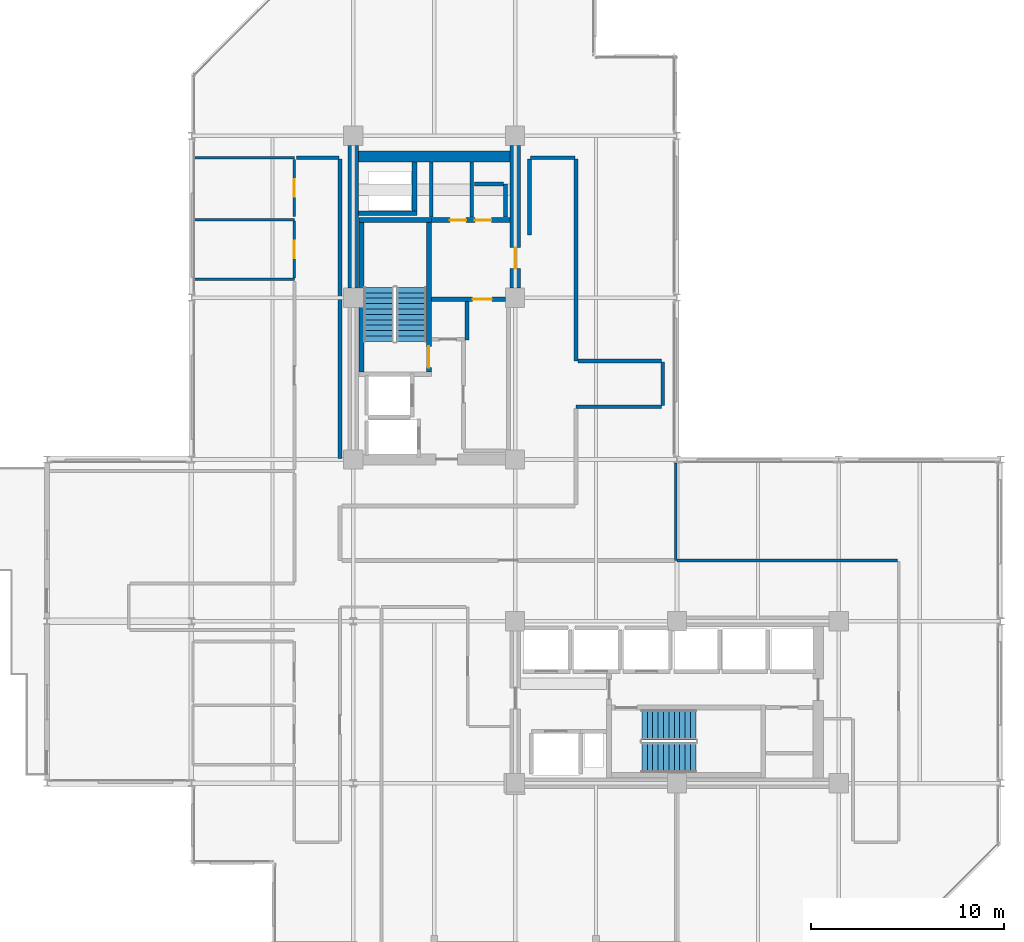
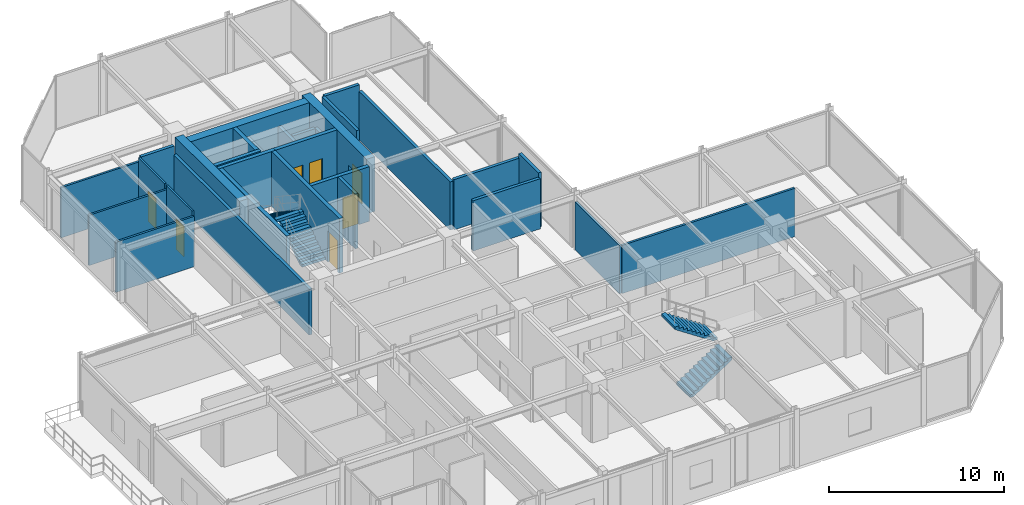
# One storey, part 26 of 29: 30 walls, 7 doors, 4 stair flights, 7 openings, 2 elements without a shape of their own.
"""IFC4 building model written with IfcOpenShell, lengths in metres."""

from ifc_helpers import new_model, si_unit, direction, frame, frame_2d, origin, place, context, subcontext, project, spatial, polyline, rectangle, outline, extrude, material, layer, layer_set, type_object, element, fill, aggregate, save


model = new_model("IFC4")

# Units and contexts
model_context = context("Model", 3, precision=1e-05, world=origin(), true_north=direction((0.0, 1.0)))
body_context = subcontext(model_context, "Body", "Model", "MODEL_VIEW")
ifc_project = project(units=[si_unit("LENGTHUNIT", "METRE"), si_unit("AREAUNIT", "SQUARE_METRE"), si_unit("VOLUMEUNIT", "CUBIC_METRE"), si_unit("PLANEANGLEUNIT", "RADIAN"), si_unit("MASSUNIT", "GRAM", prefix="KILO")], contexts=[model_context])

# Site, building, storey
site_placement = place(None, origin())
site = spatial("IfcSite", under=ifc_project, at=site_placement, CompositionType="ELEMENT")
building_placement = place(site_placement, origin())
building = spatial("IfcBuilding", under=site, at=building_placement, Name="Nerrivon Quay Data Exchange", CompositionType="ELEMENT")
storey_placement = place(building_placement, frame((0.0, 0.0, 183.699951171875)))
storey = spatial("IfcBuildingStorey", under=building, at=storey_placement, Name="L43", CompositionType="ELEMENT", Elevation=183.699951171875)

# Walls
ifc_material_1 = material(Name="Concrete S65 (65 MPa)", Category="concrete")
ifc_layer_1 = layer(ifc_material_1, 0.550048828125)
ifc_layer_set_1 = layer_set([ifc_layer_1], Name="Concrete S65 (65 MPa)")
wall_type_1 = type_object("IfcWallType", Name="WALL-CW-700", PredefinedType="SHEAR", material=ifc_layer_set_1)
wall_1_placement = place(storey_placement, frame((8.39990234375, 34.10009765625, 0.0), z_axis=(0.0, 0.0, 1.0), x_axis=(0.0, 1.0, 0.0)))
element("IfcWall", 1, at=wall_1_placement, inside=storey, type_object=wall_type_1, Name="L43 West Split-Core Shear Wall WCW-W2", PredefinedType="SHEAR", context=body_context, shape_type="SweptSolid", body=[
    extrude(rectangle(XDim=7.39990234375, YDim=0.550048828125, at=frame_2d((3.699951171875, 0.0))), origin(), (0.0, 0.0, 1.0), 3.824951171875),
])
wall_2_placement = place(storey_placement, frame((8.675048828125, 40.925048828125, 0.0), z_axis=(0.0, 0.0, 1.0), x_axis=(1.0, 0.0, 0.0)))
element("IfcWall", 2, at=wall_2_placement, inside=storey, type_object=wall_type_1, Name="L43 West Split-Core Shear Wall WCW-N1", PredefinedType="SHEAR", context=body_context, shape_type="SweptSolid", body=[
    extrude(rectangle(XDim=7.849853515625, YDim=0.550048828125, at=frame_2d((3.9248046875, 0.0))), origin(), (0.0, 0.0, 1.0), 3.824951171875),
])

# Wall, opening, door
wall_3_placement = place(storey_placement, frame((16.800048828125, 34.10009765625, 0.0), z_axis=(0.0, 0.0, 1.0), x_axis=(0.0, 1.0, 0.0)))
wall_3 = element("IfcWall", 3, at=wall_3_placement, inside=storey, type_object=wall_type_1, Name="L43 West Split-Core Shear Wall WCW-E1", PredefinedType="SHEAR", context=body_context, shape_type="SweptSolid", body=[
    extrude(rectangle(XDim=7.39990234375, YDim=0.550048828125, at=frame_2d((3.699951171875, 0.0))), origin(), (0.0, 0.0, 1.0), 3.824951171875),
])
opening_1_placement = place(wall_3_placement, frame((1.0, 0.0, 0.0)))
opening_1 = element("IfcOpeningElement", 4, at=opening_1_placement, cuts=wall_3, Name="Opening FD-120", PredefinedType="OPENING", context=body_context, shape_type="SweptSolid", body=[
    extrude(rectangle(XDim=1.10009765625, YDim=2.14990234375, at=frame_2d((0.550048828125, 1.074951171875))), frame((0.0, 0.284912109375, 0.0), z_axis=(0.0, -1.0, 0.0), x_axis=(1.0, 0.0, 0.0)), (0.0, 0.0, 1.0), 0.570068359375),
])
ifc_material_2 = material(Name="Powder-coated galvanized steel sheet", Category="steel")
door_type_1 = type_object("IfcDoorType", Name="DR-FD120-1100", OperationType="NOTDEFINED", PredefinedType="DOOR", material=ifc_material_2)
door_1_placement = place(opening_1_placement, origin())
door_1 = element("IfcDoor", 5, at=door_1_placement, inside=storey, type_object=door_type_1, Name="L43 West Core Lobby Fire Door", OperationType="SINGLE_SWING_LEFT", OverallHeight=2.14990234375, OverallWidth=1.10009765625, PredefinedType="DOOR", context=body_context, shape_type="SweptSolid", body=[
    extrude(rectangle(XDim=1.10009765625, YDim=2.14990234375, at=frame_2d((0.550048828125, 1.074951171875))), frame((0.0, 0.02490234375, 0.0), z_axis=(0.0, -1.0, 0.0), x_axis=(1.0, 0.0, 0.0)), (0.0, 0.0, 1.0), 0.050048828125),
])
fill(opening_1, door_1)

# Walls
ifc_material_3 = material(Name="Gypsum plasterboard on cold-formed framing", Category="gypsum")
ifc_layer_2 = layer(ifc_material_3, 0.199951171875)
ifc_layer_set_2 = layer_set([ifc_layer_2], Name="Gypsum plasterboard on cold-formed framing")
wall_type_2 = type_object("IfcWallType", Name="WALL-FW-200", PredefinedType="PARTITIONING", material=ifc_layer_set_2)
wall_4_placement = place(storey_placement, frame((14.300048828125, 33.39111328125, 0.0), z_axis=(0.0, 0.0, 1.0), x_axis=(0.0, -1.0, 0.0)))
element("IfcWall", 6, at=wall_4_placement, inside=storey, type_object=wall_type_2, Name="L43 Partition Core Equipment Store", PredefinedType="PARTITIONING", context=body_context, shape_type="SweptSolid", body=[
    extrude(rectangle(XDim=1.9912109375, YDim=0.199951171875, at=frame_2d((0.99560546875, 0.0))), origin(), (0.0, 0.0, 1.0), 3.824951171875),
])
for number, where, z_axis, x_axis, name in (
    (7, (14.550048828125, 37.780029296875, 0.0), (0.0, 0.0, 1.0), (0.0, 1.0, 0.0), "L43 Partition Electrical Switchboard Closet"),
    (8, (12.449951171875, 40.64599609375, 0.0), (0.0, 0.0, 1.0), (0.0, -1.0, 0.0), "L43 Partition Electrical Switchboard Closet"),
):
    element("IfcWall", number, at=place(storey_placement, frame(where, z_axis=z_axis, x_axis=x_axis)), inside=storey, type_object=wall_type_2, Name=name, PredefinedType="PARTITIONING", context=body_context, shape_type="SweptSolid", body=[
        extrude(rectangle(XDim=2.865966796875, YDim=0.199951171875, at=frame_2d((1.43310546875, 0.0))), origin(), (0.0, 0.0, 1.0), 2.875),
    ])
wall_5_placement = place(storey_placement, frame((16.300048828125, 37.780029296875, 0.0), z_axis=(0.0, 0.0, 1.0), x_axis=(0.0, 1.0, 0.0)))
element("IfcWall", 9, at=wall_5_placement, inside=storey, type_object=wall_type_2, Name="L43 Partition Janitor Closet", PredefinedType="PARTITIONING", context=body_context, shape_type="SweptSolid", body=[
    extrude(rectangle(XDim=1.719970703125, YDim=0.199951171875, at=frame_2d((0.85986328125, 0.0))), origin(), (0.0, 0.0, 1.0), 2.875),
])
wall_6_placement = place(storey_placement, frame((16.196044921875, 39.5, 0.0), z_axis=(0.0, 0.0, 1.0), x_axis=(-1.0, 0.0, 0.0)))
element("IfcWall", 10, at=wall_6_placement, inside=storey, type_object=wall_type_2, Name="L43 Partition Janitor Closet", PredefinedType="PARTITIONING", context=body_context, shape_type="SweptSolid", body=[
    extrude(rectangle(XDim=1.506103515625, YDim=0.199951171875, at=frame_2d((0.7529296875, 0.0))), origin(), (0.0, 0.0, 1.0), 2.875),
])
wall_7_placement = place(storey_placement, frame((5.45947265625, 40.860107421875, 0.0), z_axis=(0.0, 0.0, 1.0), x_axis=(1.0, 0.0, 0.0)))
element("IfcWall", 11, at=wall_7_placement, inside=storey, type_object=wall_type_2, Name="L43 Partition Colocation Data Workspace 1", PredefinedType="PARTITIONING", context=body_context, shape_type="SweptSolid", body=[
    extrude(rectangle(XDim=2.1904296875, YDim=0.199951171875, at=frame_2d((1.09521484375, 0.0))), origin(), (0.0, 0.0, 1.0), 3.824951171875),
])
wall_8_placement = place(storey_placement, frame((7.7099609375, 40.800048828125, 0.0), z_axis=(0.0, 0.0, 1.0), x_axis=(0.0, -1.0, 0.0)))
element("IfcWall", 12, at=wall_8_placement, inside=storey, type_object=wall_type_2, Name="L43 Partition Colocation Data Workspace 1", PredefinedType="PARTITIONING", context=body_context, shape_type="SweptSolid", body=[
    extrude(rectangle(XDim=15.5400390625, YDim=0.199951171875, at=frame_2d((7.77001953125, 0.0))), origin(), (0.0, 0.0, 1.0), 3.213134765625),
])
wall_9_placement = place(storey_placement, frame((17.5400390625, 36.860107421875, 0.0), z_axis=(0.0, 0.0, 1.0), x_axis=(0.0, 1.0, 0.0)))
element("IfcWall", 13, at=wall_9_placement, inside=storey, type_object=wall_type_2, Name="L43 Partition Colocation Data Workspace 1", PredefinedType="PARTITIONING", context=body_context, shape_type="SweptSolid", body=[
    extrude(rectangle(XDim=3.93994140625, YDim=0.199951171875, at=frame_2d((1.969970703125, 0.0))), origin(), (0.0, 0.0, 1.0), 3.824951171875),
])
wall_10_placement = place(storey_placement, frame((17.60009765625, 40.860107421875, 0.0), z_axis=(0.0, 0.0, 1.0), x_axis=(1.0, 0.0, 0.0)))
element("IfcWall", 14, at=wall_10_placement, inside=storey, type_object=wall_type_2, Name="L43 Partition Colocation Data Workspace 1", PredefinedType="PARTITIONING", context=body_context, shape_type="SweptSolid", body=[
    extrude(rectangle(XDim=2.2998046875, YDim=0.199951171875, at=frame_2d((1.14990234375, 0.0))), origin(), (0.0, 0.0, 1.0), 3.824951171875),
])
wall_11_placement = place(storey_placement, frame((19.9599609375, 40.800048828125, 0.0), z_axis=(0.0, 0.0, 1.0), x_axis=(0.0, -1.0, 0.0)))
element("IfcWall", 15, at=wall_11_placement, inside=storey, type_object=wall_type_2, Name="L43 Partition Colocation Data Workspace 1", PredefinedType="PARTITIONING", context=body_context, shape_type="SweptSolid", body=[
    extrude(rectangle(XDim=10.489990234375, YDim=0.199951171875, at=frame_2d((5.2451171875, 0.0))), origin(), (0.0, 0.0, 1.0), 3.364990234375),
])
wall_12_placement = place(storey_placement, frame((20.06396484375, 30.31005859375, 0.0), z_axis=(0.0, 0.0, 1.0), x_axis=(1.0, 0.0, 0.0)))
element("IfcWall", 16, at=wall_12_placement, inside=storey, type_object=wall_type_2, Name="L43 Partition Colocation Data Workspace 1", PredefinedType="PARTITIONING", context=body_context, shape_type="SweptSolid", body=[
    extrude(rectangle(XDim=4.3359375, YDim=0.199951171875, at=frame_2d((2.16796875, 0.0))), origin(), (0.0, 0.0, 1.0), 3.51806640625),
])
wall_13_placement = place(storey_placement, frame((24.4599609375, 30.25, 0.0), z_axis=(0.0, 0.0, 1.0), x_axis=(0.0, -1.0, 0.0)))
element("IfcWall", 17, at=wall_13_placement, inside=storey, type_object=wall_type_2, Name="L43 Partition Colocation Data Workspace 1", PredefinedType="PARTITIONING", context=body_context, shape_type="SweptSolid", body=[
    extrude(rectangle(XDim=2.25, YDim=0.199951171875, at=frame_2d((1.125, 0.0))), origin(), (0.0, 0.0, 1.0), 3.824951171875),
])
wall_14_placement = place(storey_placement, frame((24.39990234375, 27.93994140625, 0.0), z_axis=(0.0, 0.0, 1.0), x_axis=(-1.0, 0.0, 0.0)))
element("IfcWall", 18, at=wall_14_placement, inside=storey, type_object=wall_type_2, Name="L43 Partition Colocation Data Workspace 1", PredefinedType="PARTITIONING", context=body_context, shape_type="SweptSolid", body=[
    extrude(rectangle(XDim=4.43994140625, YDim=0.199951171875, at=frame_2d((2.219970703125, 0.0))), origin(), (0.0, 0.0, 1.0), 3.51806640625),
])

# Wall, opening, door
ifc_layer_3 = layer(ifc_material_3, 0.1201171875)
ifc_layer_set_3 = layer_set([ifc_layer_3], Name="Gypsum plasterboard on cold-formed framing")
wall_type_3 = type_object("IfcWallType", Name="WALL-PT-120", PredefinedType="PARTITIONING", material=ifc_layer_set_3)
wall_15_placement = place(storey_placement, frame((5.340087890625, 34.62158203125, 0.0), z_axis=(0.0, 0.0, 1.0), x_axis=(0.0, 1.0, 0.0)))
wall_15 = element("IfcWall", 19, at=wall_15_placement, inside=storey, type_object=wall_type_3, Name="L43 Partition Staff Shower Block", PredefinedType="PARTITIONING", context=body_context, shape_type="SweptSolid", body=[
    extrude(rectangle(XDim=2.95703125, YDim=0.1201171875, at=frame_2d((1.478515625, 0.0))), origin(), (0.0, 0.0, 1.0), 3.824951171875),
])
opening_2_placement = place(wall_15_placement, frame((1.0185546875, 0.0, 0.0)))
opening_2 = element("IfcOpeningElement", 20, at=opening_2_placement, cuts=wall_15, Name="Opening D-WC", PredefinedType="OPENING", context=body_context, shape_type="SweptSolid", body=[
    extrude(rectangle(XDim=0.919921875, YDim=2.10009765625, at=frame_2d((0.4599609375, 1.050048828125))), frame((0.0, 0.070068359375, 0.0), z_axis=(0.0, -1.0, 0.0), x_axis=(1.0, 0.0, 0.0)), (0.0, 0.0, 1.0), 0.14013671875),
])
ifc_material_4 = material(Name="Engineered hardwood timber", Category="wood")
door_type_2 = type_object("IfcDoorType", Name="DR-WC-920", OperationType="NOTDEFINED", PredefinedType="DOOR", material=ifc_material_4)
door_2_placement = place(opening_2_placement, origin())
door_2 = element("IfcDoor", 21, at=door_2_placement, inside=storey, type_object=door_type_2, Name="L43 Door Staff Shower Block", OperationType="SINGLE_SWING_RIGHT", OverallHeight=2.10009765625, OverallWidth=0.919921875, PredefinedType="DOOR", context=body_context, shape_type="SweptSolid", body=[
    extrude(rectangle(XDim=0.919921875, YDim=2.10009765625, at=frame_2d((0.4599609375, 1.050048828125))), frame((0.0, 0.02490234375, 0.0), z_axis=(0.0, -1.0, 0.0), x_axis=(1.0, 0.0, 0.0)), (0.0, 0.0, 1.0), 0.050048828125),
])
fill(opening_2, door_2)

wall_16_placement = place(storey_placement, frame((5.340087890625, 37.800048828125, 0.0), z_axis=(0.0, 0.0, 1.0), x_axis=(0.0, 1.0, 0.0)))
wall_16 = element("IfcWall", 22, at=wall_16_placement, inside=storey, type_object=wall_type_3, Name="L43 Partition Accessible Unisex Toilet", PredefinedType="PARTITIONING", context=body_context, shape_type="SweptSolid", body=[
    extrude(rectangle(XDim=2.978515625, YDim=0.1201171875, at=frame_2d((1.4892578125, 0.0))), origin(), (0.0, 0.0, 1.0), 3.824951171875),
])
opening_3_placement = place(wall_16_placement, frame((1.029296875, 0.0, 0.0)))
opening_3 = element("IfcOpeningElement", 23, at=opening_3_placement, cuts=wall_16, Name="Opening D-WC", PredefinedType="OPENING", context=body_context, shape_type="SweptSolid", body=[
    extrude(rectangle(XDim=0.919921875, YDim=2.10009765625, at=frame_2d((0.4599609375, 1.050048828125))), frame((0.0, 0.070068359375, 0.0), z_axis=(0.0, -1.0, 0.0), x_axis=(1.0, 0.0, 0.0)), (0.0, 0.0, 1.0), 0.14013671875),
])
door_3_placement = place(opening_3_placement, origin())
door_3 = element("IfcDoor", 24, at=door_3_placement, inside=storey, type_object=door_type_2, Name="L43 Door Accessible Unisex Toilet", OperationType="SINGLE_SWING_LEFT", OverallHeight=2.10009765625, OverallWidth=0.919921875, PredefinedType="DOOR", context=body_context, shape_type="SweptSolid", body=[
    extrude(rectangle(XDim=0.919921875, YDim=2.10009765625, at=frame_2d((0.4599609375, 1.050048828125))), frame((0.0, 0.02490234375, 0.0), z_axis=(0.0, -1.0, 0.0), x_axis=(1.0, 0.0, 0.0)), (0.0, 0.0, 1.0), 0.050048828125),
])
fill(opening_3, door_3)

# Walls
ifc_layer_4 = layer(ifc_material_3, 0.135009765625)
ifc_layer_set_4 = layer_set([ifc_layer_4], Name="Gypsum plasterboard on cold-formed framing")
wall_type_4 = type_object("IfcWallType", Name="WALL-PT-135", PredefinedType="PARTITIONING", material=ifc_layer_set_4)
for number, where, z_axis, x_axis, name in (
    (25, (5.340087890625, 37.64990234375, 0.0), (0.0, 0.0, 1.0), (-1.0, 0.0, 0.0), "L43 Partition Staff Shower Block"),
    (26, (0.1689453125, 34.550048828125, 0.0), (0.0, 0.0, 1.0), (1.0, 0.0, 0.0), "L43 Partition Staff Shower Block"),
    (27, (5.340087890625, 40.85009765625, 0.0), (0.0, 0.0, 1.0), (-1.0, 0.0, 0.0), "L43 Partition Accessible Unisex Toilet"),
):
    element("IfcWall", number, at=place(storey_placement, frame(where, z_axis=z_axis, x_axis=x_axis)), inside=storey, type_object=wall_type_4, Name=name, PredefinedType="PARTITIONING", context=body_context, shape_type="SweptSolid", body=[
        extrude(rectangle(XDim=5.171142578125, YDim=0.135009765625, at=frame_2d((2.58544921875, 0.0))), origin(), (0.0, 0.0, 1.0), 3.51806640625),
    ])
wall_17_placement = place(storey_placement, frame((25.137939453125, 25.0048828125, 0.0), z_axis=(0.0, 0.0, 1.0), x_axis=(0.0, -1.0, 0.0)))
element("IfcWall", 28, at=wall_17_placement, inside=storey, type_object=wall_type_4, Name="L43 Partition Technical Library", PredefinedType="PARTITIONING", context=body_context, shape_type="SweptSolid", body=[
    extrude(rectangle(XDim=5.044921875, YDim=0.135009765625, at=frame_2d((2.5224609375, 0.0))), origin(), (0.0, 0.0, 1.0), 3.37109375),
])
ifc_layer_5 = layer(ifc_material_3, 0.14990234375)
ifc_layer_set_5 = layer_set([ifc_layer_5], Name="Gypsum plasterboard on cold-formed framing")
wall_type_5 = type_object("IfcWallType", Name="WALL-PT-150", PredefinedType="PARTITIONING", material=ifc_layer_set_5)
wall_18_placement = place(storey_placement, frame((25.20947265625, 19.9599609375, 0.0), z_axis=(0.0, 0.0, 1.0), x_axis=(1.0, 0.0, 0.0)))
element("IfcWall", 29, at=wall_18_placement, inside=storey, type_object=wall_type_5, Name="L43 Partition Technical Library", PredefinedType="PARTITIONING", context=body_context, shape_type="SweptSolid", body=[
    extrude(rectangle(XDim=11.4404296875, YDim=0.14990234375, at=frame_2d((5.72021484375, 0.0))), origin(), (0.0, 0.0, 1.0), 3.37109375),
])
ifc_material_5 = material(Name="Concrete N50 (50 MPa)", Category="concrete")
ifc_layer_6 = layer(ifc_material_5, 0.25)
ifc_layer_set_6 = layer_set([ifc_layer_6], Name="Concrete N50 (50 MPa)")
wall_type_6 = type_object("IfcWallType", Name="WALL-SW-250", PredefinedType="SHEAR", material=ifc_layer_set_6)
wall_19_placement = place(storey_placement, frame((12.449951171875, 37.625, 0.0), z_axis=(0.0, 0.0, 1.0), x_axis=(-1.0, 0.0, 0.0)))
element("IfcWall", 30, at=wall_19_placement, inside=storey, type_object=wall_type_6, Name="L43 ST01 Structural Stair Core Wall FAR", PredefinedType="SHEAR", context=body_context, shape_type="SweptSolid", body=[
    extrude(rectangle(XDim=3.75, YDim=0.25, at=frame_2d((1.875, 0.0))), origin(), (0.0, 0.0, 1.0), 3.824951171875),
])

# Wall, opening, door
wall_20_placement = place(storey_placement, frame((12.324951171875, 29.75, 0.0), z_axis=(0.0, 0.0, 1.0), x_axis=(0.0, 1.0, 0.0)))
wall_20 = element("IfcWall", 31, at=wall_20_placement, inside=storey, type_object=wall_type_6, Name="L43 ST01 Structural Stair Core Wall LEFT", PredefinedType="SHEAR", context=body_context, shape_type="SweptSolid", body=[
    extrude(rectangle(XDim=7.75, YDim=0.25, at=frame_2d((3.875, 0.0))), origin(), (0.0, 0.0, 1.0), 3.824951171875),
])
opening_4_placement = place(wall_20_placement, frame((0.219970703125, 0.0, 0.0)))
opening_4 = element("IfcOpeningElement", 32, at=opening_4_placement, cuts=wall_20, Name="Opening FD-120", PredefinedType="OPENING", context=body_context, shape_type="SweptSolid", body=[
    extrude(rectangle(XDim=1.10009765625, YDim=2.14990234375, at=frame_2d((0.550048828125, 1.074951171875))), frame((0.0, 0.135009765625, 0.0), z_axis=(0.0, -1.0, 0.0), x_axis=(1.0, 0.0, 0.0)), (0.0, 0.0, 1.0), 0.27001953125),
])
door_4_placement = place(opening_4_placement, origin())
door_4 = element("IfcDoor", 33, at=door_4_placement, inside=storey, type_object=door_type_1, Name="L43 Protected Stair Door ST01", OperationType="SINGLE_SWING_LEFT", OverallHeight=2.14990234375, OverallWidth=1.10009765625, PredefinedType="DOOR", context=body_context, shape_type="SweptSolid", body=[
    extrude(rectangle(XDim=1.10009765625, YDim=2.14990234375, at=frame_2d((0.550048828125, 1.074951171875))), frame((0.0, 0.02490234375, 0.0), z_axis=(0.0, -1.0, 0.0), x_axis=(1.0, 0.0, 0.0)), (0.0, 0.0, 1.0), 0.050048828125),
])
fill(opening_4, door_4)

# Walls
wall_21_placement = place(storey_placement, frame((8.824951171875, 29.75, 0.0), z_axis=(0.0, 0.0, 1.0), x_axis=(0.0, 1.0, 0.0)))
element("IfcWall", 34, at=wall_21_placement, inside=storey, type_object=wall_type_6, Name="L43 ST01 Structural Stair Core Wall RIGHT", PredefinedType="SHEAR", context=body_context, shape_type="SweptSolid", body=[
    extrude(rectangle(XDim=7.75, YDim=0.25, at=frame_2d((3.875, 0.0))), origin(), (0.0, 0.0, 1.0), 3.824951171875),
])
wall_22_placement = place(storey_placement, frame((8.675048828125, 37.97509765625, 0.0), z_axis=(0.0, 0.0, 1.0), x_axis=(1.0, 0.0, 0.0)))
element("IfcWall", 35, at=wall_22_placement, inside=storey, type_object=wall_type_6, Name="L43 West Core MEP Riser Shaft Wall S", PredefinedType="SHEAR", context=body_context, shape_type="SweptSolid", body=[
    extrude(rectangle(XDim=3.02490234375, YDim=0.25, at=frame_2d((1.512451171875, 0.0))), origin(), (0.0, 0.0, 1.0), 3.824951171875),
])
wall_23_placement = place(storey_placement, frame((11.574951171875, 38.10009765625, 0.0), z_axis=(0.0, 0.0, 1.0), x_axis=(0.0, 1.0, 0.0)))
element("IfcWall", 36, at=wall_23_placement, inside=storey, type_object=wall_type_6, Name="L43 West Core MEP Riser Shaft Wall E", PredefinedType="SHEAR", context=body_context, shape_type="SweptSolid", body=[
    extrude(rectangle(XDim=2.5498046875, YDim=0.25, at=frame_2d((1.27490234375, 0.0))), origin(), (0.0, 0.0, 1.0), 3.824951171875),
])

# Wall, opening, door
wall_24_placement = place(storey_placement, frame((12.449951171875, 33.52001953125, 0.0), z_axis=(0.0, 0.0, 1.0), x_axis=(1.0, 0.0, 0.0)))
wall_24 = element("IfcWall", 37, at=wall_24_placement, inside=storey, type_object=wall_type_6, Name="L43 West Lobby Smoke-Stop Wall", PredefinedType="SHEAR", context=body_context, shape_type="SweptSolid", body=[
    extrude(rectangle(XDim=3.85009765625, YDim=0.25, at=frame_2d((1.925048828125, 0.0))), origin(), (0.0, 0.0, 1.0), 3.824951171875),
])
opening_5_placement = place(wall_24_placement, frame((2.14990234375, 0.0, 0.0)))
opening_5 = element("IfcOpeningElement", 38, at=opening_5_placement, cuts=wall_24, Name="Opening FD-60", PredefinedType="OPENING", context=body_context, shape_type="SweptSolid", body=[
    extrude(rectangle(XDim=1.0, YDim=2.14990234375, at=frame_2d((0.5, 1.074951171875))), frame((0.0, 0.135009765625, 0.0), z_axis=(0.0, -1.0, 0.0), x_axis=(1.0, 0.0, 0.0)), (0.0, 0.0, 1.0), 0.27001953125),
])
door_type_3 = type_object("IfcDoorType", Name="DR-FD60-1000", OperationType="NOTDEFINED", PredefinedType="DOOR", material=ifc_material_4)
door_5_placement = place(opening_5_placement, origin())
door_5 = element("IfcDoor", 39, at=door_5_placement, inside=storey, type_object=door_type_3, Name="L43 West Firefighting Lobby Fire Door", OperationType="SINGLE_SWING_LEFT", OverallHeight=2.14990234375, OverallWidth=1.0, PredefinedType="DOOR", context=body_context, shape_type="SweptSolid", body=[
    extrude(rectangle(XDim=1.0, YDim=2.14990234375, at=frame_2d((0.5, 1.074951171875))), frame((0.0, 0.02490234375, 0.0), z_axis=(0.0, -1.0, 0.0), x_axis=(1.0, 0.0, 0.0)), (0.0, 0.0, 1.0), 0.050048828125),
])
fill(opening_5, door_5)

# Wall, openings, doors
wall_25_placement = place(storey_placement, frame((12.449951171875, 37.625, 0.0), z_axis=(0.0, 0.0, 1.0), x_axis=(1.0, 0.0, 0.0)))
wall_25 = element("IfcWall", 40, at=wall_25_placement, inside=storey, type_object=wall_type_6, Name="L43 West Firefighting Lobby Wall", PredefinedType="SHEAR", context=body_context, shape_type="SweptSolid", body=[
    extrude(rectangle(XDim=4.074951171875, YDim=0.25, at=frame_2d((2.03759765625, 0.0))), origin(), (0.0, 0.0, 1.0), 3.824951171875),
])
opening_6_placement = place(wall_25_placement, frame((0.96044921875, 0.0, 0.0)))
opening_6 = element("IfcOpeningElement", 41, at=opening_6_placement, cuts=wall_25, Name="Opening FD-60S", PredefinedType="OPENING", context=body_context, shape_type="SweptSolid", body=[
    extrude(rectangle(XDim=0.85009765625, YDim=2.14990234375, at=frame_2d((0.425048828125, 1.074951171875))), frame((0.0, 0.135009765625, 0.0), z_axis=(0.0, -1.0, 0.0), x_axis=(1.0, 0.0, 0.0)), (0.0, 0.0, 1.0), 0.27001953125),
])
opening_7_placement = place(wall_25_placement, frame((2.264404296875, 0.0, 0.0)))
opening_7 = element("IfcOpeningElement", 42, at=opening_7_placement, cuts=wall_25, Name="Opening FD-60S", PredefinedType="OPENING", context=body_context, shape_type="SweptSolid", body=[
    extrude(rectangle(XDim=0.85009765625, YDim=2.14990234375, at=frame_2d((0.425048828125, 1.074951171875))), frame((0.0, 0.135009765625, 0.0), z_axis=(0.0, -1.0, 0.0), x_axis=(1.0, 0.0, 0.0)), (0.0, 0.0, 1.0), 0.27001953125),
])
door_type_4 = type_object("IfcDoorType", Name="DR-FD60-850", OperationType="NOTDEFINED", PredefinedType="DOOR", material=ifc_material_4)
door_6_placement = place(opening_6_placement, origin())
door_6 = element("IfcDoor", 43, at=door_6_placement, inside=storey, type_object=door_type_4, Name="L43 Door Electrical Switchboard Closet", OperationType="SINGLE_SWING_LEFT", OverallHeight=2.14990234375, OverallWidth=0.85009765625, PredefinedType="DOOR", context=body_context, shape_type="SweptSolid", body=[
    extrude(rectangle(XDim=0.85009765625, YDim=2.14990234375, at=frame_2d((0.425048828125, 1.074951171875))), frame((0.0, 0.02490234375, 0.0), z_axis=(0.0, -1.0, 0.0), x_axis=(1.0, 0.0, 0.0)), (0.0, 0.0, 1.0), 0.050048828125),
])
fill(opening_6, door_6)
door_7_placement = place(opening_7_placement, origin())
door_7 = element("IfcDoor", 44, at=door_7_placement, inside=storey, type_object=door_type_4, Name="L43 Door Janitor Closet", OperationType="SINGLE_SWING_RIGHT", OverallHeight=2.14990234375, OverallWidth=0.85009765625, PredefinedType="DOOR", context=body_context, shape_type="SweptSolid", body=[
    extrude(rectangle(XDim=0.85009765625, YDim=2.14990234375, at=frame_2d((0.425048828125, 1.074951171875))), frame((0.0, 0.02490234375, 0.0), z_axis=(0.0, -1.0, 0.0), x_axis=(1.0, 0.0, 0.0)), (0.0, 0.0, 1.0), 0.050048828125),
])
fill(opening_7, door_7)

# Stair, stair flights
stair_type = type_object("IfcStairType", Name="STAIR-DOG-41", PredefinedType="HALF_TURN_STAIR", material=ifc_material_5)
stair_1_placement = place(storey_placement, origin())
stair_1 = element("IfcStair", 45, at=stair_1_placement, inside=storey, type_object=stair_type, Name="L43 West Core Fire Stair ST01", PredefinedType="HALF_TURN_STAIR")
stair_flight_type = type_object("IfcStairFlightType", Name="FLIGHT-DOG-41", PredefinedType="STRAIGHT", material=ifc_material_5)
stair_flight_1_placement = place(storey_placement, frame((11.425048828125, 31.330078125, 0.0), z_axis=(0.0, 0.0, 1.0), x_axis=(0.0, 1.0, 0.0)))
stair_flight_1 = element("IfcStairFlight", 46, at=stair_flight_1_placement, type_object=stair_flight_type, Name="ST01 flight 1", NumberOfRisers=11, NumberOfTreads=10, PredefinedType="STRAIGHT", RiserHeight=0.186363636, TreadLength=0.28, context=body_context, shape_type="SweptSolid", body=[
    extrude(outline(polyline([(0.0, 0.0), (0.0, 0.186279296875), (0.280029296875, 0.186279296875), (0.280029296875, 0.372802734375), (0.56005859375, 0.372802734375), (0.56005859375, 0.55908203125), (0.840087890625, 0.55908203125), (0.840087890625, 0.745361328125), (1.1201171875, 0.745361328125), (1.1201171875, 0.931884765625), (1.39990234375, 0.931884765625), (1.39990234375, 1.1181640625), (1.679931640625, 1.1181640625), (1.679931640625, 1.304443359375), (1.9599609375, 1.304443359375), (1.9599609375, 1.490966796875), (2.239990234375, 1.490966796875), (2.239990234375, 1.67724609375), (2.52001953125, 1.67724609375), (2.52001953125, 1.863525390625), (2.800048828125, 1.863525390625), (2.800048828125, 2.050048828125), (2.800048828125, 1.68359375), (0.2705078125, 0.0), (0.0, 0.0)])), frame((0.0, 0.77490234375, 0.0), z_axis=(0.0, -1.0, 0.0), x_axis=(1.0, 0.0, 0.0)), (0.0, 0.0, 1.0), 1.550048828125),
])
stair_flight_2_placement = place(storey_placement, frame((9.72509765625, 34.1298828125, 2.050048828125), z_axis=(0.0, 0.0, 1.0), x_axis=(0.0, -1.0, 0.0)))
stair_flight_2 = element("IfcStairFlight", 47, at=stair_flight_2_placement, type_object=stair_flight_type, Name="ST01 flight 2", NumberOfRisers=11, NumberOfTreads=10, PredefinedType="STRAIGHT", RiserHeight=0.186363636, TreadLength=0.28, context=body_context, shape_type="SweptSolid", body=[
    extrude(outline(polyline([(0.0, 0.0), (0.0, 0.186279296875), (0.280029296875, 0.186279296875), (0.280029296875, 0.372802734375), (0.56005859375, 0.372802734375), (0.56005859375, 0.55908203125), (0.840087890625, 0.55908203125), (0.840087890625, 0.745361328125), (1.1201171875, 0.745361328125), (1.1201171875, 0.931884765625), (1.39990234375, 0.931884765625), (1.39990234375, 1.1181640625), (1.679931640625, 1.1181640625), (1.679931640625, 1.304443359375), (1.9599609375, 1.304443359375), (1.9599609375, 1.490966796875), (2.239990234375, 1.490966796875), (2.239990234375, 1.67724609375), (2.52001953125, 1.67724609375), (2.52001953125, 1.863525390625), (2.800048828125, 1.863525390625), (2.800048828125, 2.050048828125), (2.800048828125, 1.68359375), (0.2705078125, 0.0), (0.0, 0.0)])), frame((0.0, 0.77490234375, 0.0), z_axis=(0.0, -1.0, 0.0), x_axis=(1.0, 0.0, 0.0)), (0.0, 0.0, 1.0), 1.550048828125),
])
aggregate(stair_1, [stair_flight_1, stair_flight_2])

stair_2_placement = place(storey_placement, origin())
stair_2 = element("IfcStair", 48, at=stair_2_placement, inside=storey, type_object=stair_type, Name="L43 East Core Fire Stair ST02", PredefinedType="HALF_TURN_STAIR")
stair_flight_3_placement = place(storey_placement, frame((23.3798828125, 9.72509765625, 0.0), z_axis=(0.0, 0.0, 1.0), x_axis=(1.0, 0.0, 0.0)))
stair_flight_3 = element("IfcStairFlight", 49, at=stair_flight_3_placement, type_object=stair_flight_type, Name="ST02 flight 1", NumberOfRisers=11, NumberOfTreads=10, PredefinedType="STRAIGHT", RiserHeight=0.186363636, TreadLength=0.28, context=body_context, shape_type="SweptSolid", body=[
    extrude(outline(polyline([(0.0, 0.0), (0.0, 0.186279296875), (0.280029296875, 0.186279296875), (0.280029296875, 0.372802734375), (0.56005859375, 0.372802734375), (0.56005859375, 0.55908203125), (0.840087890625, 0.55908203125), (0.840087890625, 0.745361328125), (1.1201171875, 0.745361328125), (1.1201171875, 0.931884765625), (1.39990234375, 0.931884765625), (1.39990234375, 1.1181640625), (1.679931640625, 1.1181640625), (1.679931640625, 1.304443359375), (1.9599609375, 1.304443359375), (1.9599609375, 1.490966796875), (2.239990234375, 1.490966796875), (2.239990234375, 1.67724609375), (2.52001953125, 1.67724609375), (2.52001953125, 1.863525390625), (2.800048828125, 1.863525390625), (2.800048828125, 2.050048828125), (2.800048828125, 1.68359375), (0.2705078125, 0.0), (0.0, 0.0)])), frame((0.0, 0.77490234375, 0.0), z_axis=(0.0, -1.0, 0.0), x_axis=(1.0, 0.0, 0.0)), (0.0, 0.0, 1.0), 1.550048828125),
])
stair_flight_4_placement = place(storey_placement, frame((26.179931640625, 11.425048828125, 2.050048828125), z_axis=(0.0, 0.0, 1.0), x_axis=(-1.0, 0.0, 0.0)))
stair_flight_4 = element("IfcStairFlight", 50, at=stair_flight_4_placement, type_object=stair_flight_type, Name="ST02 flight 2", NumberOfRisers=11, NumberOfTreads=10, PredefinedType="STRAIGHT", RiserHeight=0.186363636, TreadLength=0.28, context=body_context, shape_type="SweptSolid", body=[
    extrude(outline(polyline([(0.0, 0.0), (0.0, 0.186279296875), (0.280029296875, 0.186279296875), (0.280029296875, 0.372802734375), (0.56005859375, 0.372802734375), (0.56005859375, 0.55908203125), (0.840087890625, 0.55908203125), (0.840087890625, 0.745361328125), (1.1201171875, 0.745361328125), (1.1201171875, 0.931884765625), (1.39990234375, 0.931884765625), (1.39990234375, 1.1181640625), (1.679931640625, 1.1181640625), (1.679931640625, 1.304443359375), (1.9599609375, 1.304443359375), (1.9599609375, 1.490966796875), (2.239990234375, 1.490966796875), (2.239990234375, 1.67724609375), (2.52001953125, 1.67724609375), (2.52001953125, 1.863525390625), (2.800048828125, 1.863525390625), (2.800048828125, 2.050048828125), (2.800048828125, 1.68359375), (0.2705078125, 0.0), (0.0, 0.0)])), frame((0.0, 0.77490234375, 0.0), z_axis=(0.0, -1.0, 0.0), x_axis=(1.0, 0.0, 0.0)), (0.0, 0.0, 1.0), 1.550048828125),
])
aggregate(stair_2, [stair_flight_3, stair_flight_4])

save(model, "model.ifc")
